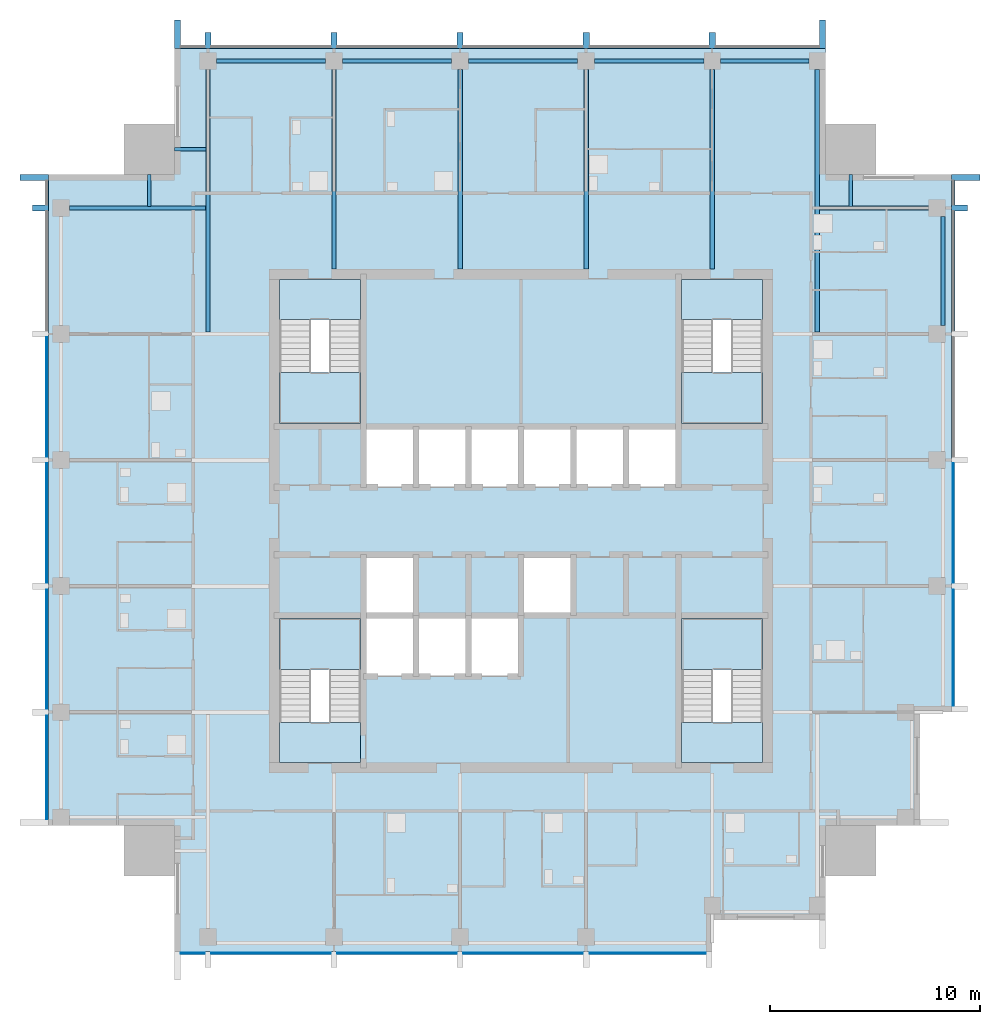
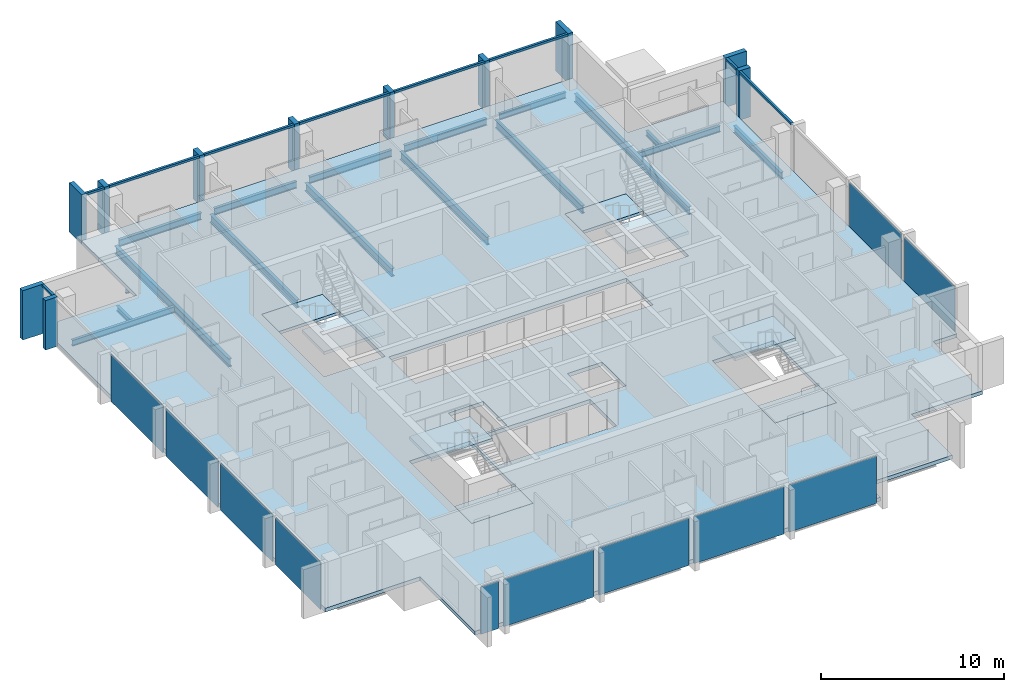
# One storey, part 2 of 9: 20 members, 17 beams, 11 plates, 9 slabs, 8 elements without a shape of their own.
"""IFC4 building model written with IfcOpenShell, lengths in metres."""

from ifc_helpers import new_model, si_unit, direction, frame, origin, origin_2d, place, context, subcontext, project, spatial, polyline, rectangle, i_section, outline, extrude, material, layer, layer_set, material_profile, profile_set, type_object, element, aggregate, save


model = new_model("IFC4")

# Units and contexts
model_context = context("Model", 3, precision=1e-05, world=origin(), true_north=direction((0.0, 1.0)))
body_context = subcontext(model_context, "Body", "Model", "MODEL_VIEW")
ifc_project = project(units=[si_unit("LENGTHUNIT", "METRE"), si_unit("AREAUNIT", "SQUARE_METRE"), si_unit("VOLUMEUNIT", "CUBIC_METRE"), si_unit("PLANEANGLEUNIT", "RADIAN"), si_unit("MASSUNIT", "GRAM", prefix="KILO")], contexts=[model_context])

# Site, building, storey
site_placement = place(None, origin())
site = spatial("IfcSite", under=ifc_project, at=site_placement, CompositionType="ELEMENT")
building_placement = place(site_placement, origin())
building = spatial("IfcBuilding", under=site, at=building_placement, Name="Amberfall Residences", CompositionType="ELEMENT")
storey_placement = place(building_placement, frame((0.0, 0.0, 242.199951171875)))
storey = spatial("IfcBuildingStorey", under=building, at=storey_placement, Name="L64", CompositionType="ELEMENT", Elevation=242.199951171875)

# Curtain wall, members
ifc_material_1 = material(Name="Bronze anodised aluminium and glass", Category="aluminium")
curtain_wall_type = type_object("IfcCurtainWallType", Name="Curtain wall CW1 tower unit", PredefinedType="USERDEFINED", material=ifc_material_1)
curtain_wall_1_placement = place(storey_placement, origin())
curtain_wall_1 = element("IfcCurtainWall", 1, at=curtain_wall_1_placement, inside=storey, type_object=curtain_wall_type, Name="Curtain wall L64 E E3", ObjectType="UNITISED CURTAIN WALL", PredefinedType="USERDEFINED")
ifc_material_2 = material(Name="Bronze anodised aluminium", Category="aluminium")
ifc_material_profile_1 = material_profile(ifc_material_2, rectangle(XDim=0.14990234375, YDim=0.14990234375, at=origin_2d()), Name="CW1 transom 150 x 150 bronze")
ifc_profile_set_1 = profile_set([ifc_material_profile_1], Name="Bronze anodised aluminium")
member_type_1 = type_object("IfcMemberType", Name="CW1 transom 150 x 150 bronze", PredefinedType="USERDEFINED", material=ifc_profile_set_1)
member_1_placement = place(storey_placement, frame((95.074951171875, 54.550048828125, 2.97509765625), z_axis=(0.0, 1.0, 0.0), x_axis=(-1.0, 0.0, 0.0)))
member_1 = element("IfcMember", 2, at=member_1_placement, type_object=member_type_1, Name="CW1 transom 4.1", ObjectType="TRANSOM", PredefinedType="USERDEFINED", context=body_context, shape_type="SweptSolid", body=[
    extrude(rectangle(XDim=0.14990234375, YDim=0.14990234375, at=origin_2d()), origin(), (0.0, 0.0, 1.0), 5.699951171875),
])
member_2_placement = place(storey_placement, frame((95.074951171875, 60.550048828125, 2.97509765625), z_axis=(0.0, 1.0, 0.0), x_axis=(-1.0, 0.0, 0.0)))
member_2 = element("IfcMember", 3, at=member_2_placement, type_object=member_type_1, Name="CW1 transom 5.1", ObjectType="TRANSOM", PredefinedType="USERDEFINED", context=body_context, shape_type="SweptSolid", body=[
    extrude(rectangle(XDim=0.14990234375, YDim=0.14990234375, at=origin_2d()), origin(), (0.0, 0.0, 1.0), 1.14990234375),
])

curtain_wall_2_placement = place(storey_placement, origin())
curtain_wall_2 = element("IfcCurtainWall", 4, at=curtain_wall_2_placement, inside=storey, type_object=curtain_wall_type, Name="Curtain wall L64 N N1", ObjectType="UNITISED CURTAIN WALL", PredefinedType="USERDEFINED")
member_3_placement = place(storey_placement, frame((88.699951171875, 68.074951171875, 2.97509765625), z_axis=(-1.0, 0.0, 0.0), x_axis=(0.0, -1.0, 0.0)))
member_3 = element("IfcMember", 5, at=member_3_placement, type_object=member_type_1, Name="CW1 transom 1.1", ObjectType="TRANSOM", PredefinedType="USERDEFINED", context=body_context, shape_type="SweptSolid", body=[
    extrude(rectangle(XDim=0.14990234375, YDim=0.14990234375, at=origin_2d()), origin(), (0.0, 0.0, 1.0), 4.949951171875),
])
member_4_placement = place(storey_placement, frame((83.449951171875, 68.074951171875, 2.97509765625), z_axis=(-1.0, 0.0, 0.0), x_axis=(0.0, -1.0, 0.0)))
member_4 = element("IfcMember", 6, at=member_4_placement, type_object=member_type_1, Name="CW1 transom 2.1", ObjectType="TRANSOM", PredefinedType="USERDEFINED", context=body_context, shape_type="SweptSolid", body=[
    extrude(rectangle(XDim=0.14990234375, YDim=0.14990234375, at=origin_2d()), origin(), (0.0, 0.0, 1.0), 5.699951171875),
])
member_5_placement = place(storey_placement, frame((77.449951171875, 68.074951171875, 2.97509765625), z_axis=(-1.0, 0.0, 0.0), x_axis=(0.0, -1.0, 0.0)))
member_5 = element("IfcMember", 7, at=member_5_placement, type_object=member_type_1, Name="CW1 transom 3.1", ObjectType="TRANSOM", PredefinedType="USERDEFINED", context=body_context, shape_type="SweptSolid", body=[
    extrude(rectangle(XDim=0.14990234375, YDim=0.14990234375, at=origin_2d()), origin(), (0.0, 0.0, 1.0), 5.699951171875),
])
member_6_placement = place(storey_placement, frame((71.449951171875, 68.074951171875, 2.97509765625), z_axis=(-1.0, 0.0, 0.0), x_axis=(0.0, -1.0, 0.0)))
member_6 = element("IfcMember", 8, at=member_6_placement, type_object=member_type_1, Name="CW1 transom 4.1", ObjectType="TRANSOM", PredefinedType="USERDEFINED", context=body_context, shape_type="SweptSolid", body=[
    extrude(rectangle(XDim=0.14990234375, YDim=0.14990234375, at=origin_2d()), origin(), (0.0, 0.0, 1.0), 5.699951171875),
])
member_7_placement = place(storey_placement, frame((65.449951171875, 68.074951171875, 2.97509765625), z_axis=(-1.0, 0.0, 0.0), x_axis=(0.0, -1.0, 0.0)))
member_7 = element("IfcMember", 9, at=member_7_placement, type_object=member_type_1, Name="CW1 transom 5.1", ObjectType="TRANSOM", PredefinedType="USERDEFINED", context=body_context, shape_type="SweptSolid", body=[
    extrude(rectangle(XDim=0.14990234375, YDim=0.14990234375, at=origin_2d()), origin(), (0.0, 0.0, 1.0), 5.699951171875),
])
member_8_placement = place(storey_placement, frame((59.449951171875, 68.074951171875, 2.97509765625), z_axis=(-1.0, 0.0, 0.0), x_axis=(0.0, -1.0, 0.0)))
member_8 = element("IfcMember", 10, at=member_8_placement, type_object=member_type_1, Name="CW1 transom 6.1", ObjectType="TRANSOM", PredefinedType="USERDEFINED", context=body_context, shape_type="SweptSolid", body=[
    extrude(rectangle(XDim=0.14990234375, YDim=0.14990234375, at=origin_2d()), origin(), (0.0, 0.0, 1.0), 1.14990234375),
])

# Curtain wall, member
curtain_wall_3_placement = place(storey_placement, origin())
curtain_wall_3 = element("IfcCurtainWall", 11, at=curtain_wall_3_placement, inside=storey, type_object=curtain_wall_type, Name="Curtain wall L64 W W1", ObjectType="UNITISED CURTAIN WALL", PredefinedType="USERDEFINED")
member_9_placement = place(storey_placement, frame((51.925048828125, 61.699951171875, 2.97509765625), z_axis=(0.0, -1.0, 0.0), x_axis=(1.0, 0.0, 0.0)))
member_9 = element("IfcMember", 12, at=member_9_placement, type_object=member_type_1, Name="CW1 transom 1.1", ObjectType="TRANSOM", PredefinedType="USERDEFINED", context=body_context, shape_type="SweptSolid", body=[
    extrude(rectangle(XDim=0.14990234375, YDim=0.14990234375, at=origin_2d()), origin(), (0.0, 0.0, 1.0), 1.14990234375),
])

# Member
ifc_material_profile_2 = material_profile(ifc_material_2, rectangle(XDim=1.35009765625, YDim=0.300048828125, at=origin_2d()), Name="Corner fin 300 x 1350 bronze")
ifc_profile_set_2 = profile_set([ifc_material_profile_2], Name="Bronze anodised aluminium")
member_type_2 = type_object("IfcMemberType", Name="Corner fin 300 x 1350 bronze", PredefinedType="MULLION", material=ifc_profile_set_2)
member_10_placement = place(storey_placement, frame((95.675048828125, 61.85009765625, -0.25), z_axis=(0.0, 0.0, 1.0), x_axis=(-1.0, 0.0, 0.0)))
member_10 = element("IfcMember", 13, at=member_10_placement, type_object=member_type_2, Name="CW FIN 6", PredefinedType="MULLION", context=body_context, shape_type="SweptSolid", body=[
    extrude(rectangle(XDim=1.35009765625, YDim=0.300048828125, at=origin_2d()), origin(), (0.0, 0.0, 1.0), 3.300048828125),
])

member_11_placement = place(storey_placement, frame((88.85009765625, 68.675048828125, -0.25), z_axis=(0.0, 0.0, 1.0), x_axis=(0.0, -1.0, 0.0)))
member_11 = element("IfcMember", 14, at=member_11_placement, type_object=member_type_2, Name="CW FIN 1", PredefinedType="MULLION", context=body_context, shape_type="SweptSolid", body=[
    extrude(rectangle(XDim=1.35009765625, YDim=0.300048828125, at=origin_2d()), origin(), (0.0, 0.0, 1.0), 3.300048828125),
])

member_12_placement = place(storey_placement, frame((58.14990234375, 68.675048828125, -0.25), z_axis=(0.0, 0.0, 1.0), x_axis=(0.0, -1.0, 0.0)))
member_12 = element("IfcMember", 15, at=member_12_placement, type_object=member_type_2, Name="CW FIN 7", PredefinedType="MULLION", context=body_context, shape_type="SweptSolid", body=[
    extrude(rectangle(XDim=1.35009765625, YDim=0.300048828125, at=origin_2d()), origin(), (0.0, 0.0, 1.0), 3.300048828125),
])

member_13_placement = place(storey_placement, frame((51.324951171875, 61.85009765625, -0.25), z_axis=(0.0, 0.0, 1.0), x_axis=(1.0, 0.0, 0.0)))
member_13 = element("IfcMember", 16, at=member_13_placement, type_object=member_type_2, Name="CW FIN 1", PredefinedType="MULLION", context=body_context, shape_type="SweptSolid", body=[
    extrude(rectangle(XDim=1.35009765625, YDim=0.300048828125, at=origin_2d()), origin(), (0.0, 0.0, 1.0), 3.300048828125),
])

# Beams
ifc_material_3 = material(Name="Steel S355", Category="steel")
ifc_material_profile_3 = material_profile(ifc_material_3, i_section(OverallWidth=0.177734375, OverallDepth=0.402587890625, WebThickness=0.0078125, FlangeThickness=0.010986328125, FilletRadius=0.01025390625, at=origin_2d()), Name="UB 406x178x54")
ifc_profile_set_3 = profile_set([ifc_material_profile_3], Name="Steel S355")
beam_type_1 = type_object("IfcBeamType", Name="Edge beam UB 406x178x54", PredefinedType="SPANDREL", material=ifc_profile_set_3)
beam_1_placement = place(storey_placement, frame((84.0, 67.39990234375, -0.451171875), z_axis=(1.0, 0.0, 0.0), x_axis=(0.0, 1.0, 0.0)))
element("IfcBeam", 17, at=beam_1_placement, inside=storey, type_object=beam_type_1, Name="Edge beam B14 L64 29", PredefinedType="SPANDREL", context=body_context, shape_type="SweptSolid", body=[
    extrude(i_section(OverallWidth=0.177734375, OverallDepth=0.402587890625, WebThickness=0.0078125, FlangeThickness=0.010986328125, FilletRadius=0.01025390625, at=origin_2d()), origin(), (0.0, 0.0, 1.0), 4.199951171875),
])
ifc_material_profile_4 = material_profile(ifc_material_3, i_section(OverallWidth=0.18994140625, OverallDepth=0.453369140625, WebThickness=0.008544921875, FlangeThickness=0.0126953125, FilletRadius=0.01025390625, at=origin_2d()), Name="UB 457x191x67")
ifc_profile_set_4 = profile_set([ifc_material_profile_4], Name="Steel S355")
beam_type_2 = type_object("IfcBeamType", Name="Edge beam UB 457x191x67", PredefinedType="SPANDREL", material=ifc_profile_set_4)
for number, where, z_axis, x_axis, name in (
    (18, (94.60009765625, 54.800048828125, -0.4765625), (0.0, 1.0, 0.0), (-1.0, 0.0, 0.0), "Edge beam B1 L64 17"),
    (19, (60.0, 67.39990234375, -0.4765625), (1.0, 0.0, 0.0), (0.0, 1.0, 0.0), "Edge beam B1 L64 25"),
    (20, (66.0, 67.39990234375, -0.4765625), (1.0, 0.0, 0.0), (0.0, 1.0, 0.0), "Edge beam B1 L64 26"),
    (21, (72.0, 67.39990234375, -0.4765625), (1.0, 0.0, 0.0), (0.0, 1.0, 0.0), "Edge beam B1 L64 27"),
    (22, (78.0, 67.39990234375, -0.4765625), (1.0, 0.0, 0.0), (0.0, 1.0, 0.0), "Edge beam B1 L64 28"),
):
    element("IfcBeam", number, at=place(storey_placement, frame(where, z_axis=z_axis, x_axis=x_axis)), inside=storey, type_object=beam_type_2, Name=name, PredefinedType="SPANDREL", context=body_context, shape_type="SweptSolid", body=[
        extrude(i_section(OverallWidth=0.18994140625, OverallDepth=0.453369140625, WebThickness=0.008544921875, FlangeThickness=0.0126953125, FilletRadius=0.01025390625, at=origin_2d()), origin(), (0.0, 0.0, 1.0), 5.199951171875),
    ])

# Member
ifc_material_profile_5 = material_profile(ifc_material_2, rectangle(XDim=0.75, YDim=0.300048828125, at=origin_2d()), Name="Fin 300 x 750 bronze")
ifc_profile_set_5 = profile_set([ifc_material_profile_5], Name="Bronze anodised aluminium")
member_type_3 = type_object("IfcMemberType", Name="Fin 300 x 750 bronze", PredefinedType="MULLION", material=ifc_profile_set_5)
member_14_placement = place(storey_placement, frame((95.375, 60.39990234375, -0.25), z_axis=(0.0, 0.0, 1.0), x_axis=(-1.0, 0.0, 0.0)))
member_14 = element("IfcMember", 23, at=member_14_placement, type_object=member_type_3, Name="CW FIN 5", PredefinedType="MULLION", context=body_context, shape_type="SweptSolid", body=[
    extrude(rectangle(XDim=0.75, YDim=0.300048828125, at=origin_2d()), origin(), (0.0, 0.0, 1.0), 3.300048828125),
])

member_15_placement = place(storey_placement, frame((83.60009765625, 68.375, -0.25), z_axis=(0.0, 0.0, 1.0), x_axis=(0.0, -1.0, 0.0)))
member_15 = element("IfcMember", 24, at=member_15_placement, type_object=member_type_3, Name="CW FIN 2", PredefinedType="MULLION", context=body_context, shape_type="SweptSolid", body=[
    extrude(rectangle(XDim=0.75, YDim=0.300048828125, at=origin_2d()), origin(), (0.0, 0.0, 1.0), 3.300048828125),
])

member_16_placement = place(storey_placement, frame((77.60009765625, 68.375, -0.25), z_axis=(0.0, 0.0, 1.0), x_axis=(0.0, -1.0, 0.0)))
member_16 = element("IfcMember", 25, at=member_16_placement, type_object=member_type_3, Name="CW FIN 3", PredefinedType="MULLION", context=body_context, shape_type="SweptSolid", body=[
    extrude(rectangle(XDim=0.75, YDim=0.300048828125, at=origin_2d()), origin(), (0.0, 0.0, 1.0), 3.300048828125),
])

member_17_placement = place(storey_placement, frame((71.60009765625, 68.375, -0.25), z_axis=(0.0, 0.0, 1.0), x_axis=(0.0, -1.0, 0.0)))
member_17 = element("IfcMember", 26, at=member_17_placement, type_object=member_type_3, Name="CW FIN 4", PredefinedType="MULLION", context=body_context, shape_type="SweptSolid", body=[
    extrude(rectangle(XDim=0.75, YDim=0.300048828125, at=origin_2d()), origin(), (0.0, 0.0, 1.0), 3.300048828125),
])

member_18_placement = place(storey_placement, frame((65.60009765625, 68.375, -0.25), z_axis=(0.0, 0.0, 1.0), x_axis=(0.0, -1.0, 0.0)))
member_18 = element("IfcMember", 27, at=member_18_placement, type_object=member_type_3, Name="CW FIN 5", PredefinedType="MULLION", context=body_context, shape_type="SweptSolid", body=[
    extrude(rectangle(XDim=0.75, YDim=0.300048828125, at=origin_2d()), origin(), (0.0, 0.0, 1.0), 3.300048828125),
])

member_19_placement = place(storey_placement, frame((59.60009765625, 68.375, -0.25), z_axis=(0.0, 0.0, 1.0), x_axis=(0.0, -1.0, 0.0)))
member_19 = element("IfcMember", 28, at=member_19_placement, type_object=member_type_3, Name="CW FIN 6", PredefinedType="MULLION", context=body_context, shape_type="SweptSolid", body=[
    extrude(rectangle(XDim=0.75, YDim=0.300048828125, at=origin_2d()), origin(), (0.0, 0.0, 1.0), 3.300048828125),
])

aggregate(curtain_wall_2, [member_11, member_15, member_16, member_17, member_18, member_19, member_12, member_3, member_4, member_5, member_6, member_7, member_8])

member_20_placement = place(storey_placement, frame((51.625, 60.39990234375, -0.25), z_axis=(0.0, 0.0, 1.0), x_axis=(1.0, 0.0, 0.0)))
member_20 = element("IfcMember", 29, at=member_20_placement, type_object=member_type_3, Name="CW FIN 2", PredefinedType="MULLION", context=body_context, shape_type="SweptSolid", body=[
    extrude(rectangle(XDim=0.75, YDim=0.300048828125, at=origin_2d()), origin(), (0.0, 0.0, 1.0), 3.300048828125),
])

# Beams
ifc_material_profile_6 = material_profile(ifc_material_3, i_section(OverallWidth=0.177734375, OverallDepth=0.402587890625, WebThickness=0.0078125, FlangeThickness=0.010986328125, FilletRadius=0.01025390625, at=origin_2d()), Name="UB 406x178x54")
ifc_profile_set_6 = profile_set([ifc_material_profile_6], Name="Steel S355")
beam_type_3 = type_object("IfcBeamType", Name="Floor girder UB 406x178x54", PredefinedType="BEAM", material=ifc_profile_set_6)
beam_2_placement = place(storey_placement, frame((93.89990234375, 60.39990234375, -0.451171875), z_axis=(-1.0, 0.0, 0.0), x_axis=(0.0, -1.0, 0.0)))
element("IfcBeam", 30, at=beam_2_placement, inside=storey, type_object=beam_type_3, Name="Floor girder B4 L64 24", PredefinedType="BEAM", context=body_context, shape_type="SweptSolid", body=[
    extrude(i_section(OverallWidth=0.177734375, OverallDepth=0.402587890625, WebThickness=0.0078125, FlangeThickness=0.010986328125, FilletRadius=0.01025390625, at=origin_2d()), origin(), (0.0, 0.0, 1.0), 5.179931640625),
])
beam_3_placement = place(storey_placement, frame((53.0, 60.39990234375, -0.451171875), z_axis=(1.0, 0.0, 0.0), x_axis=(0.0, 1.0, 0.0)))
element("IfcBeam", 31, at=beam_3_placement, inside=storey, type_object=beam_type_3, Name="Floor girder B4 L64 46", PredefinedType="BEAM", context=body_context, shape_type="SweptSolid", body=[
    extrude(i_section(OverallWidth=0.177734375, OverallDepth=0.402587890625, WebThickness=0.0078125, FlangeThickness=0.010986328125, FilletRadius=0.01025390625, at=origin_2d()), origin(), (0.0, 0.0, 1.0), 6.47998046875),
])
ifc_material_profile_7 = material_profile(ifc_material_3, i_section(OverallWidth=0.210693359375, OverallDepth=0.53955078125, WebThickness=0.01171875, FlangeThickness=0.018798828125, FilletRadius=0.0126953125, at=origin_2d()), Name="UB 533x210x109")
ifc_profile_set_7 = profile_set([ifc_material_profile_7], Name="Steel S355")
beam_type_4 = type_object("IfcBeamType", Name="Floor girder UB 533x210x109", PredefinedType="BEAM", material=ifc_profile_set_7)
beam_4_placement = place(storey_placement, frame((59.60009765625, 67.0, -0.519775390625), z_axis=(0.0, -1.0, 0.0), x_axis=(1.0, 0.0, 0.0)))
element("IfcBeam", 32, at=beam_4_placement, inside=storey, type_object=beam_type_4, Name="Floor girder B2 L64 30", PredefinedType="BEAM", context=body_context, shape_type="SweptSolid", body=[
    extrude(i_section(OverallWidth=0.210693359375, OverallDepth=0.53955078125, WebThickness=0.01171875, FlangeThickness=0.018798828125, FilletRadius=0.0126953125, at=origin_2d()), origin(), (0.0, 0.0, 1.0), 12.50048828125),
])
beam_5_placement = place(storey_placement, frame((88.60009765625, 67.0, -0.519775390625), z_axis=(0.0, -1.0, 0.0), x_axis=(1.0, 0.0, 0.0)))
element("IfcBeam", 33, at=beam_5_placement, inside=storey, type_object=beam_type_4, Name="Floor girder B2 L64 35", PredefinedType="BEAM", context=body_context, shape_type="SweptSolid", body=[
    extrude(i_section(OverallWidth=0.210693359375, OverallDepth=0.53955078125, WebThickness=0.01171875, FlangeThickness=0.018798828125, FilletRadius=0.0126953125, at=origin_2d()), origin(), (0.0, 0.0, 1.0), 12.509521484375),
])
ifc_material_profile_8 = material_profile(ifc_material_3, i_section(OverallWidth=0.209228515625, OverallDepth=0.533203125, WebThickness=0.010009765625, FlangeThickness=0.015625, FilletRadius=0.0126953125, at=origin_2d()), Name="UB 533x210x92")
ifc_profile_set_8 = profile_set([ifc_material_profile_8], Name="Steel S355")
beam_type_5 = type_object("IfcBeamType", Name="Floor girder UB 533x210x92", PredefinedType="BEAM", material=ifc_profile_set_8)
for number, where, z_axis, x_axis, name in (
    (34, (65.60009765625, 67.0, -0.5166015625), (0.0, -1.0, 0.0), (1.0, 0.0, 0.0), "Floor girder B3 L64 31"),
    (35, (71.60009765625, 67.0, -0.5166015625), (0.0, -1.0, 0.0), (1.0, 0.0, 0.0), "Floor girder B3 L64 32"),
    (36, (77.60009765625, 67.0, -0.5166015625), (0.0, -1.0, 0.0), (1.0, 0.0, 0.0), "Floor girder B3 L64 33"),
    (37, (83.60009765625, 67.0, -0.5166015625), (0.0, -1.0, 0.0), (1.0, 0.0, 0.0), "Floor girder B3 L64 34"),
):
    element("IfcBeam", number, at=place(storey_placement, frame(where, z_axis=z_axis, x_axis=x_axis)), inside=storey, type_object=beam_type_5, Name=name, PredefinedType="BEAM", context=body_context, shape_type="SweptSolid", body=[
        extrude(i_section(OverallWidth=0.209228515625, OverallDepth=0.533203125, WebThickness=0.010009765625, FlangeThickness=0.015625, FilletRadius=0.0126953125, at=origin_2d()), origin(), (0.0, 0.0, 1.0), 9.5),
    ])
ifc_material_profile_9 = material_profile(ifc_material_3, i_section(OverallWidth=0.171142578125, OverallDepth=0.351318359375, WebThickness=0.007080078125, FlangeThickness=0.009765625, FilletRadius=0.01025390625, at=origin_2d()), Name="UB 356x171x45")
ifc_profile_set_9 = profile_set([ifc_material_profile_9], Name="Steel S355")
beam_type_6 = type_object("IfcBeamType", Name="Link beam UB 356x171x45", PredefinedType="BEAM", material=ifc_profile_set_9)
beam_6_placement = place(storey_placement, frame((90.199951171875, 62.0, -0.425537109375), z_axis=(0.0, -1.0, 0.0), x_axis=(1.0, 0.0, 0.0)))
element("IfcBeam", 38, at=beam_6_placement, inside=storey, type_object=beam_type_6, Name="Link beam B7 L64 48", PredefinedType="BEAM", context=body_context, shape_type="SweptSolid", body=[
    extrude(i_section(OverallWidth=0.171142578125, OverallDepth=0.351318359375, WebThickness=0.007080078125, FlangeThickness=0.009765625, FilletRadius=0.01025390625, at=origin_2d()), origin(), (0.0, 0.0, 1.0), 1.52099609375),
])
beam_7_placement = place(storey_placement, frame((58.0, 63.199951171875, -0.425537109375), z_axis=(1.0, 0.0, 0.0), x_axis=(0.0, 1.0, 0.0)))
element("IfcBeam", 39, at=beam_7_placement, inside=storey, type_object=beam_type_6, Name="Link beam B7 L64 49", PredefinedType="BEAM", context=body_context, shape_type="SweptSolid", body=[
    extrude(i_section(OverallWidth=0.171142578125, OverallDepth=0.351318359375, WebThickness=0.007080078125, FlangeThickness=0.009765625, FilletRadius=0.01025390625, at=origin_2d()), origin(), (0.0, 0.0, 1.0), 1.504638671875),
])
beam_8_placement = place(storey_placement, frame((56.800048828125, 62.0, -0.425537109375), z_axis=(0.0, -1.0, 0.0), x_axis=(1.0, 0.0, 0.0)))
element("IfcBeam", 40, at=beam_8_placement, inside=storey, type_object=beam_type_6, Name="Link beam B7 L64 50", PredefinedType="BEAM", context=body_context, shape_type="SweptSolid", body=[
    extrude(i_section(OverallWidth=0.171142578125, OverallDepth=0.351318359375, WebThickness=0.007080078125, FlangeThickness=0.009765625, FilletRadius=0.01025390625, at=origin_2d()), origin(), (0.0, 0.0, 1.0), 1.52099609375),
])

# Curtain wall, plates
curtain_wall_4_placement = place(storey_placement, origin())
curtain_wall_4 = element("IfcCurtainWall", 41, at=curtain_wall_4_placement, inside=storey, type_object=curtain_wall_type, Name="Curtain wall L64 S S1", ObjectType="UNITISED CURTAIN WALL", PredefinedType="USERDEFINED")
ifc_material_4 = material(Name="Tinted double glazed unit", Category="glass")
ifc_layer_1 = layer(ifc_material_4, 0.035888671875)
ifc_layer_set_1 = layer_set([ifc_layer_1], Name="CW1 panel 36 glazing")
plate_type = type_object("IfcPlateType", Name="CW1 panel 36 glazing", PredefinedType="CURTAIN_PANEL", material=ifc_layer_set_1)
plate_1_placement = place(storey_placement, frame((58.875, 24.925048828125, -0.25), z_axis=(0.0, 0.0, 1.0), x_axis=(1.0, 0.0, 0.0)))
plate_1 = element("IfcPlate", 42, at=plate_1_placement, type_object=plate_type, Name="CW1 panel 1.1", PredefinedType="CURTAIN_PANEL", context=body_context, shape_type="SweptSolid", body=[
    extrude(rectangle(XDim=1.1259765625, YDim=0.035888671875, at=origin_2d()), origin(), (0.0, 0.0, 1.0), 3.14990234375),
])
plate_2_placement = place(storey_placement, frame((62.60009765625, 24.925048828125, -0.25), z_axis=(0.0, 0.0, 1.0), x_axis=(1.0, 0.0, 0.0)))
plate_2 = element("IfcPlate", 43, at=plate_2_placement, type_object=plate_type, Name="CW1 panel 2.1", PredefinedType="CURTAIN_PANEL", context=body_context, shape_type="SweptSolid", body=[
    extrude(rectangle(XDim=5.676025390625, YDim=0.035888671875, at=origin_2d()), origin(), (0.0, 0.0, 1.0), 3.14990234375),
])
plate_3_placement = place(storey_placement, frame((68.60009765625, 24.925048828125, -0.25), z_axis=(0.0, 0.0, 1.0), x_axis=(1.0, 0.0, 0.0)))
plate_3 = element("IfcPlate", 44, at=plate_3_placement, type_object=plate_type, Name="CW1 panel 3.1", PredefinedType="CURTAIN_PANEL", context=body_context, shape_type="SweptSolid", body=[
    extrude(rectangle(XDim=5.676025390625, YDim=0.035888671875, at=origin_2d()), origin(), (0.0, 0.0, 1.0), 3.14990234375),
])
plate_4_placement = place(storey_placement, frame((74.60009765625, 24.925048828125, -0.25), z_axis=(0.0, 0.0, 1.0), x_axis=(1.0, 0.0, 0.0)))
plate_4 = element("IfcPlate", 45, at=plate_4_placement, type_object=plate_type, Name="CW1 panel 4.1", PredefinedType="CURTAIN_PANEL", context=body_context, shape_type="SweptSolid", body=[
    extrude(rectangle(XDim=5.676025390625, YDim=0.035888671875, at=origin_2d()), origin(), (0.0, 0.0, 1.0), 3.14990234375),
])
plate_5_placement = place(storey_placement, frame((80.52490234375, 24.925048828125, -0.25), z_axis=(0.0, 0.0, 1.0), x_axis=(1.0, 0.0, 0.0)))
plate_5 = element("IfcPlate", 46, at=plate_5_placement, type_object=plate_type, Name="CW1 panel 5.1", PredefinedType="CURTAIN_PANEL", context=body_context, shape_type="SweptSolid", body=[
    extrude(rectangle(XDim=5.52587890625, YDim=0.035888671875, at=origin_2d()), origin(), (0.0, 0.0, 1.0), 3.14990234375),
])
aggregate(curtain_wall_4, [plate_1, plate_2, plate_3, plate_4, plate_5])

# Plate
plate_6_placement = place(storey_placement, frame((95.074951171875, 39.47509765625, -0.25), z_axis=(0.0, 0.0, 1.0), x_axis=(0.0, 1.0, 0.0)))
plate_6 = element("IfcPlate", 47, at=plate_6_placement, type_object=plate_type, Name="CW1 panel 1.1", PredefinedType="CURTAIN_PANEL", context=body_context, shape_type="SweptSolid", body=[
    extrude(rectangle(XDim=5.52587890625, YDim=0.035888671875, at=origin_2d()), origin(), (0.0, 0.0, 1.0), 3.14990234375),
])

plate_7_placement = place(storey_placement, frame((95.074951171875, 45.39990234375, -0.25), z_axis=(0.0, 0.0, 1.0), x_axis=(0.0, 1.0, 0.0)))
plate_7 = element("IfcPlate", 48, at=plate_7_placement, type_object=plate_type, Name="CW1 panel 2.1", PredefinedType="CURTAIN_PANEL", context=body_context, shape_type="SweptSolid", body=[
    extrude(rectangle(XDim=5.676025390625, YDim=0.035888671875, at=origin_2d()), origin(), (0.0, 0.0, 1.0), 3.14990234375),
])

aggregate(curtain_wall_1, [member_14, member_10, plate_6, plate_7, member_1, member_2])

plate_8_placement = place(storey_placement, frame((51.925048828125, 51.39990234375, -0.25), z_axis=(0.0, 0.0, 1.0), x_axis=(0.0, -1.0, 0.0)))
plate_8 = element("IfcPlate", 49, at=plate_8_placement, type_object=plate_type, Name="CW1 panel 3.1", PredefinedType="CURTAIN_PANEL", context=body_context, shape_type="SweptSolid", body=[
    extrude(rectangle(XDim=5.676025390625, YDim=0.035888671875, at=origin_2d()), origin(), (0.0, 0.0, 1.0), 3.14990234375),
])

plate_9_placement = place(storey_placement, frame((51.925048828125, 45.39990234375, -0.25), z_axis=(0.0, 0.0, 1.0), x_axis=(0.0, -1.0, 0.0)))
plate_9 = element("IfcPlate", 50, at=plate_9_placement, type_object=plate_type, Name="CW1 panel 4.1", PredefinedType="CURTAIN_PANEL", context=body_context, shape_type="SweptSolid", body=[
    extrude(rectangle(XDim=5.676025390625, YDim=0.035888671875, at=origin_2d()), origin(), (0.0, 0.0, 1.0), 3.14990234375),
])

plate_10_placement = place(storey_placement, frame((51.925048828125, 39.39990234375, -0.25), z_axis=(0.0, 0.0, 1.0), x_axis=(0.0, -1.0, 0.0)))
plate_10 = element("IfcPlate", 51, at=plate_10_placement, type_object=plate_type, Name="CW1 panel 5.1", PredefinedType="CURTAIN_PANEL", context=body_context, shape_type="SweptSolid", body=[
    extrude(rectangle(XDim=5.676025390625, YDim=0.035888671875, at=origin_2d()), origin(), (0.0, 0.0, 1.0), 3.14990234375),
])

plate_11_placement = place(storey_placement, frame((51.925048828125, 33.77490234375, -0.25), z_axis=(0.0, 0.0, 1.0), x_axis=(0.0, -1.0, 0.0)))
plate_11 = element("IfcPlate", 52, at=plate_11_placement, type_object=plate_type, Name="CW1 panel 6.1", PredefinedType="CURTAIN_PANEL", context=body_context, shape_type="SweptSolid", body=[
    extrude(rectangle(XDim=4.926025390625, YDim=0.035888671875, at=origin_2d()), origin(), (0.0, 0.0, 1.0), 3.14990234375),
])

aggregate(curtain_wall_3, [member_13, member_20, member_9, plate_8, plate_9, plate_10, plate_11])

# Slab
ifc_material_5 = material(Name="Concrete C50", Category="concrete")
ifc_layer_2 = layer(ifc_material_5, 0.25)
ifc_layer_set_2 = layer_set([ifc_layer_2], Name="Floor slab 250 C50")
slab_type_1 = type_object("IfcSlabType", Name="Floor slab 250 C50", PredefinedType="FLOOR", material=ifc_layer_set_2)
slab_1_placement = place(storey_placement, frame((0.0, 0.0, -0.25)))
element("IfcSlab", 53, at=slab_1_placement, inside=storey, type_object=slab_type_1, Name="Floor slab S19 L64", PredefinedType="FLOOR", context=body_context, shape_type="SweptSolid", body=[
    extrude(outline(polyline([(83.60009765625, 26.5), (83.60009765625, 25.0), (58.0, 25.0), (58.0, 31.0), (52.0, 31.0), (52.0, 62.0), (58.0, 62.0), (58.0, 68.0), (89.0, 68.0), (89.0, 62.0), (95.0, 62.0), (95.0, 36.39990234375), (93.5, 36.39990234375), (93.5, 31.0), (89.0, 31.0), (89.0, 26.5), (83.60009765625, 26.5)]), holes=[polyline([(86.0, 34.0), (86.0, 40.85009765625), (82.14990234375, 40.85009765625), (82.14990234375, 34.0), (86.0, 34.0)]), polyline([(86.0, 50.14990234375), (86.0, 57.0), (82.14990234375, 57.0), (82.14990234375, 50.14990234375), (86.0, 50.14990234375)]), polyline([(72.0, 50.0), (69.5, 50.0), (67.0, 50.0), (67.0, 47.10009765625), (69.5, 47.10009765625), (72.0, 47.10009765625), (74.5, 47.10009765625), (77.0, 47.10009765625), (79.5, 47.10009765625), (82.0, 47.10009765625), (82.0, 50.0), (79.5, 50.0), (77.0, 50.0), (74.5, 50.0), (72.0, 50.0)]), polyline([(76.85009765625, 41.14990234375), (76.85009765625, 43.75), (74.64990234375, 43.75), (74.64990234375, 41.14990234375), (76.85009765625, 41.14990234375)]), polyline([(69.5, 41.0), (67.0, 41.0), (67.0, 38.10009765625), (69.5, 38.10009765625), (72.0, 38.10009765625), (74.5, 38.10009765625), (74.5, 41.0), (72.0, 41.0), (69.5, 41.0)]), polyline([(69.35009765625, 41.14990234375), (69.35009765625, 43.75), (67.14990234375, 43.75), (67.14990234375, 41.14990234375), (69.35009765625, 41.14990234375)]), polyline([(66.85009765625, 50.14990234375), (66.85009765625, 57.0), (63.0, 57.0), (63.0, 50.14990234375), (66.85009765625, 50.14990234375)]), polyline([(66.85009765625, 40.85009765625), (63.0, 40.85009765625), (63.0, 34.0), (66.85009765625, 34.0), (66.85009765625, 40.85009765625)])]), origin(), (0.0, 0.0, 1.0), 0.25),
])

# Stair, slabs
ifc_material_6 = material(Name="Concrete C40", Category="concrete")
stair_type = type_object("IfcStairType", Name="Exit stair 20 risers 165.0 mm", PredefinedType="HALF_TURN_STAIR", material=ifc_material_6)
stair_1_placement = place(storey_placement, origin())
stair_1 = element("IfcStair", 54, at=stair_1_placement, inside=storey, type_object=stair_type, Name="L64 Exit stair 1", PredefinedType="HALF_TURN_STAIR")
ifc_layer_3 = layer(ifc_material_6, 0.199951171875)
ifc_layer_set_3 = layer_set([ifc_layer_3], Name="Stair landing 200")
slab_type_2 = type_object("IfcSlabType", Name="Stair landing 200", PredefinedType="LANDING", material=ifc_layer_set_3)
slab_2_placement = place(storey_placement, frame((0.0, 0.0, 1.449951171875)))
slab_2 = element("IfcSlab", 55, at=slab_2_placement, type_object=slab_type_2, Name="ST3 landing 1", PredefinedType="LANDING", context=body_context, shape_type="SweptSolid", body=[
    extrude(outline(polyline([(66.85009765625, 38.419921875), (66.85009765625, 40.85009765625), (63.0, 40.85009765625), (63.0, 38.419921875), (66.85009765625, 38.419921875)])), origin(), (0.0, 0.0, 1.0), 0.2001953125),
])
slab_3_placement = place(storey_placement, frame((0.0, 0.0, -0.199951171875)))
slab_3 = element("IfcSlab", 56, at=slab_3_placement, type_object=slab_type_2, Name="ST3 landing 2", PredefinedType="LANDING", context=body_context, shape_type="SweptSolid", body=[
    extrude(outline(polyline([(66.85009765625, 34.0), (66.85009765625, 35.89990234375), (63.0, 35.89990234375), (63.0, 34.0), (66.85009765625, 34.0)])), origin(), (0.0, 0.0, 1.0), 0.199951171875),
])
aggregate(stair_1, [slab_2, slab_3])

stair_2_placement = place(storey_placement, origin())
stair_2 = element("IfcStair", 57, at=stair_2_placement, inside=storey, type_object=stair_type, Name="L64 Exit stair 2", PredefinedType="HALF_TURN_STAIR")
slab_4_placement = place(storey_placement, frame((0.0, 0.0, 1.449951171875)))
slab_4 = element("IfcSlab", 58, at=slab_4_placement, type_object=slab_type_2, Name="ST3 landing 1", PredefinedType="LANDING", context=body_context, shape_type="SweptSolid", body=[
    extrude(outline(polyline([(86.0, 38.419921875), (86.0, 40.85009765625), (82.14990234375, 40.85009765625), (82.14990234375, 38.419921875), (86.0, 38.419921875)])), origin(), (0.0, 0.0, 1.0), 0.2001953125),
])
slab_5_placement = place(storey_placement, frame((0.0, 0.0, -0.199951171875)))
slab_5 = element("IfcSlab", 59, at=slab_5_placement, type_object=slab_type_2, Name="ST3 landing 2", PredefinedType="LANDING", context=body_context, shape_type="SweptSolid", body=[
    extrude(outline(polyline([(86.0, 34.0), (86.0, 35.89990234375), (82.14990234375, 35.89990234375), (82.14990234375, 34.0), (86.0, 34.0)])), origin(), (0.0, 0.0, 1.0), 0.199951171875),
])
aggregate(stair_2, [slab_4, slab_5])

stair_3_placement = place(storey_placement, origin())
stair_3 = element("IfcStair", 60, at=stair_3_placement, inside=storey, type_object=stair_type, Name="L64 Exit stair 3", PredefinedType="HALF_TURN_STAIR")
slab_6_placement = place(storey_placement, frame((0.0, 0.0, 1.449951171875)))
slab_6 = element("IfcSlab", 61, at=slab_6_placement, type_object=slab_type_2, Name="ST3 landing 1", PredefinedType="LANDING", context=body_context, shape_type="SweptSolid", body=[
    extrude(outline(polyline([(82.14990234375, 52.580078125), (82.14990234375, 50.14990234375), (86.0, 50.14990234375), (86.0, 52.580078125), (82.14990234375, 52.580078125)])), origin(), (0.0, 0.0, 1.0), 0.2001953125),
])
slab_7_placement = place(storey_placement, frame((0.0, 0.0, -0.199951171875)))
slab_7 = element("IfcSlab", 62, at=slab_7_placement, type_object=slab_type_2, Name="ST3 landing 2", PredefinedType="LANDING", context=body_context, shape_type="SweptSolid", body=[
    extrude(outline(polyline([(82.14990234375, 57.0), (82.14990234375, 55.10009765625), (86.0, 55.10009765625), (86.0, 57.0), (82.14990234375, 57.0)])), origin(), (0.0, 0.0, 1.0), 0.199951171875),
])
aggregate(stair_3, [slab_6, slab_7])

stair_4_placement = place(storey_placement, origin())
stair_4 = element("IfcStair", 63, at=stair_4_placement, inside=storey, type_object=stair_type, Name="L64 Exit stair 4", PredefinedType="HALF_TURN_STAIR")
slab_8_placement = place(storey_placement, frame((0.0, 0.0, 1.449951171875)))
slab_8 = element("IfcSlab", 64, at=slab_8_placement, type_object=slab_type_2, Name="ST3 landing 1", PredefinedType="LANDING", context=body_context, shape_type="SweptSolid", body=[
    extrude(outline(polyline([(63.0, 52.580078125), (63.0, 50.14990234375), (66.85009765625, 50.14990234375), (66.85009765625, 52.580078125), (63.0, 52.580078125)])), origin(), (0.0, 0.0, 1.0), 0.2001953125),
])
slab_9_placement = place(storey_placement, frame((0.0, 0.0, -0.199951171875)))
slab_9 = element("IfcSlab", 65, at=slab_9_placement, type_object=slab_type_2, Name="ST3 landing 2", PredefinedType="LANDING", context=body_context, shape_type="SweptSolid", body=[
    extrude(outline(polyline([(63.0, 57.0), (63.0, 55.10009765625), (66.85009765625, 55.10009765625), (66.85009765625, 57.0), (63.0, 57.0)])), origin(), (0.0, 0.0, 1.0), 0.199951171875),
])
aggregate(stair_4, [slab_8, slab_9])

save(model, "model.ifc")
